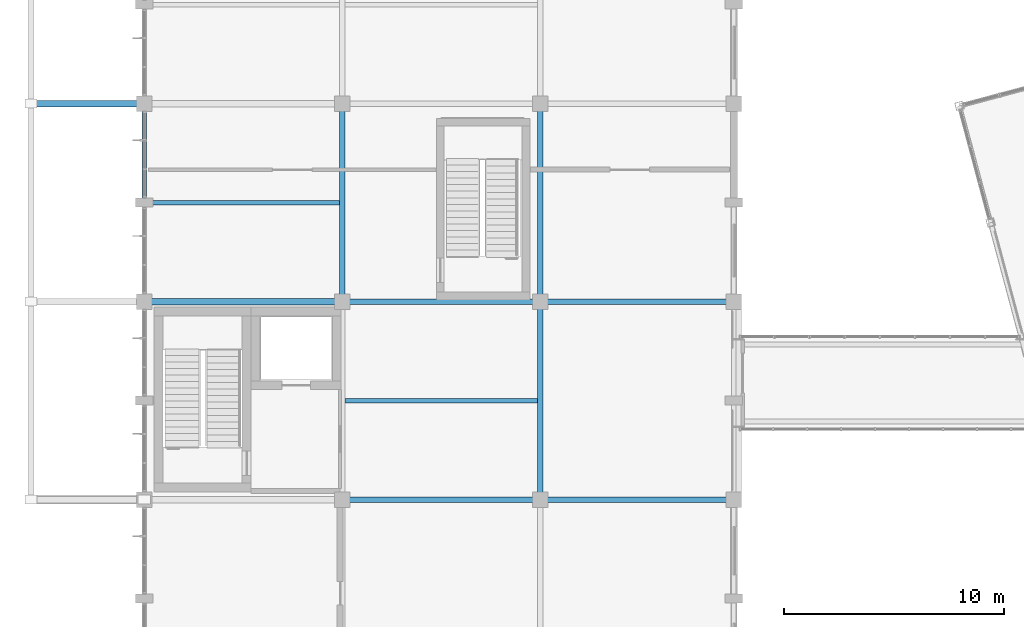
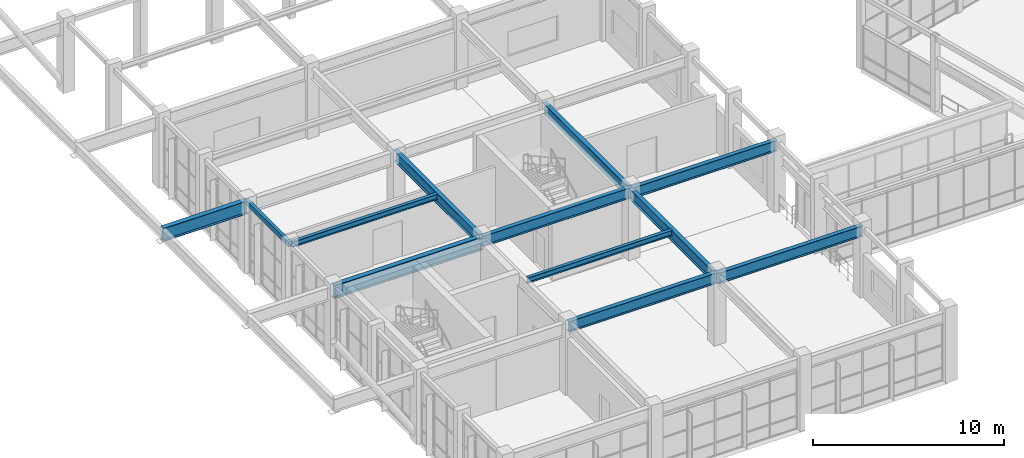
# One storey, part 23 of 99: 12 beams.
"""IFC4 building model written with IfcOpenShell, lengths in metres."""

from ifc_helpers import new_model, si_unit, direction, frame, origin, origin_2d, place, context, subcontext, project, spatial, hollow_rectangle, i_section, extrude, material, material_profile, profile_set, type_object, element, save


model = new_model("IFC4")

# Units and contexts
model_context = context("Model", 3, precision=1e-05, world=origin(), true_north=direction((0.0, 1.0)))
body_context = subcontext(model_context, "Body", "Model", "MODEL_VIEW")
ifc_project = project(units=[si_unit("LENGTHUNIT", "METRE"), si_unit("AREAUNIT", "SQUARE_METRE"), si_unit("VOLUMEUNIT", "CUBIC_METRE"), si_unit("PLANEANGLEUNIT", "RADIAN"), si_unit("MASSUNIT", "GRAM", prefix="KILO")], contexts=[model_context])

# Site, building, storey
site_placement = place(None, origin())
site = spatial("IfcSite", under=ifc_project, at=site_placement, CompositionType="ELEMENT")
building_placement = place(site_placement, origin())
building = spatial("IfcBuilding", under=site, at=building_placement, Name="Ventoquebrada Cableway Terminal", CompositionType="ELEMENT")
storey_placement = place(building_placement, frame((0.0, 0.0, 9.60009765625)))
storey = spatial("IfcBuildingStorey", under=building, at=storey_placement, Name="L02", CompositionType="ELEMENT", Elevation=9.60009765625)

# Beams
ifc_material_1 = material(Name="Steel ASTM A992 Grade 50", Category="steel")
ifc_material_profile_1 = material_profile(ifc_material_1, i_section(OverallWidth=0.25390625, OverallDepth=0.68798828125, WebThickness=0.01318359375, FlangeThickness=0.02099609375, at=origin_2d()), Name="W27X102")
ifc_profile_set_1 = profile_set([ifc_material_profile_1], Name="Steel ASTM A992 Grade 50")
beam_type_1 = type_object("IfcBeamType", Name="BM-ST04", PredefinedType="BEAM", material=ifc_profile_set_1)
beam_1_placement = place(storey_placement, frame((17.199951171875, 77.0, 4.120849609375), z_axis=(1.0, 0.0, 0.0), x_axis=(0.0, 1.0, 0.0)))
element("IfcBeam", 1, at=beam_1_placement, inside=storey, type_object=beam_type_1, Name="Primary frame girder FBM-0442", PredefinedType="BEAM", context=body_context, shape_type="SweptSolid", body=[
    extrude(i_section(OverallWidth=0.25390625, OverallDepth=0.68798828125, WebThickness=0.01318359375, FlangeThickness=0.02099609375, at=origin_2d()), origin(), (0.0, 0.0, 1.0), 9.0),
])
beam_2_placement = place(storey_placement, frame((26.199951171875, 77.0, 4.035888671875), z_axis=(1.0, 0.0, 0.0), x_axis=(0.0, 1.0, 0.0)))
element("IfcBeam", 2, at=beam_2_placement, inside=storey, type_object=beam_type_1, Name="Primary frame girder FBM-0443", PredefinedType="BEAM", context=body_context, shape_type="SweptSolid", body=[
    extrude(i_section(OverallWidth=0.25390625, OverallDepth=0.68798828125, WebThickness=0.01318359375, FlangeThickness=0.02099609375, at=origin_2d()), origin(), (0.0, 0.0, 1.0), 8.800048828125),
])
beam_3_placement = place(storey_placement, frame((17.199951171875, 86.0, 4.120849609375), z_axis=(1.0, 0.0, 0.0), x_axis=(0.0, 1.0, 0.0)))
element("IfcBeam", 3, at=beam_3_placement, inside=storey, type_object=beam_type_1, Name="Primary frame girder FBM-0445", PredefinedType="BEAM", context=body_context, shape_type="SweptSolid", body=[
    extrude(i_section(OverallWidth=0.25390625, OverallDepth=0.68798828125, WebThickness=0.01318359375, FlangeThickness=0.02099609375, at=origin_2d()), origin(), (0.0, 0.0, 1.0), 9.0),
])
beam_4_placement = place(storey_placement, frame((26.199951171875, 86.0, 4.035888671875), z_axis=(1.0, 0.0, 0.0), x_axis=(0.0, 1.0, 0.0)))
element("IfcBeam", 4, at=beam_4_placement, inside=storey, type_object=beam_type_1, Name="Primary frame girder FBM-0446", PredefinedType="BEAM", context=body_context, shape_type="SweptSolid", body=[
    extrude(i_section(OverallWidth=0.25390625, OverallDepth=0.68798828125, WebThickness=0.01318359375, FlangeThickness=0.02099609375, at=origin_2d()), origin(), (0.0, 0.0, 1.0), 8.800048828125),
])
for number, where, z_axis, x_axis, name in (
    (5, (17.199951171875, 86.0, 4.120849609375), (0.0, 1.0, 0.0), (-1.0, 0.0, 0.0), "Primary frame girder FBM-0471"),
    (6, (26.199951171875, 77.0, 4.035888671875), (0.0, 1.0, 0.0), (-1.0, 0.0, 0.0), "Primary frame girder FBM-0475"),
    (7, (26.199951171875, 86.0, 4.035888671875), (0.0, 1.0, 0.0), (-1.0, 0.0, 0.0), "Primary frame girder FBM-0476"),
):
    element("IfcBeam", number, at=place(storey_placement, frame(where, z_axis=z_axis, x_axis=x_axis)), inside=storey, type_object=beam_type_1, Name=name, PredefinedType="BEAM", context=body_context, shape_type="SweptSolid", body=[
        extrude(i_section(OverallWidth=0.25390625, OverallDepth=0.68798828125, WebThickness=0.01318359375, FlangeThickness=0.02099609375, at=origin_2d()), origin(), (0.0, 0.0, 1.0), 9.0),
    ])
ifc_material_profile_2 = material_profile(ifc_material_1, i_section(OverallWidth=0.2919921875, OverallDepth=0.845947265625, WebThickness=0.015380859375, FlangeThickness=0.0244140625, at=origin_2d()), Name="W33X141")
ifc_profile_set_2 = profile_set([ifc_material_profile_2], Name="Steel ASTM A992 Grade 50")
beam_type_2 = type_object("IfcBeamType", Name="BM-ST06", PredefinedType="BEAM", material=ifc_profile_set_2)
beam_5_placement = place(storey_placement, frame((8.199951171875, 86.0, 4.0419921875), z_axis=(1.0, 0.0, 0.0), x_axis=(0.0, 1.0, 0.0)))
element("IfcBeam", 8, at=beam_5_placement, inside=storey, type_object=beam_type_2, Name="Primary frame girder FBM-0444", PredefinedType="BEAM", context=body_context, shape_type="SweptSolid", body=[
    extrude(i_section(OverallWidth=0.2919921875, OverallDepth=0.845947265625, WebThickness=0.015380859375, FlangeThickness=0.0244140625, at=origin_2d()), origin(), (0.0, 0.0, 1.0), 9.0),
])
beam_6_placement = place(storey_placement, frame((3.050048828125, 95.0, 4.0419921875), z_axis=(1.0, 0.0, 0.0), x_axis=(0.0, 1.0, 0.0)))
element("IfcBeam", 9, at=beam_6_placement, inside=storey, type_object=beam_type_2, Name="Cantilever belvedere girder CB-003", PredefinedType="BEAM", context=body_context, shape_type="SweptSolid", body=[
    extrude(i_section(OverallWidth=0.2919921875, OverallDepth=0.845947265625, WebThickness=0.015380859375, FlangeThickness=0.0244140625, at=origin_2d()), origin(), (0.0, 0.0, 1.0), 5.14990234375),
])
ifc_material_profile_3 = material_profile(ifc_material_1, i_section(OverallWidth=0.2041015625, OverallDepth=0.35009765625, WebThickness=0.008544921875, FlangeThickness=0.01513671875, at=origin_2d()), Name="W14X48")
ifc_profile_set_3 = profile_set([ifc_material_profile_3], Name="Steel ASTM A992 Grade 50")
beam_type_3 = type_object("IfcBeamType", Name="JST-ST05", PredefinedType="JOIST", material=ifc_profile_set_3)
beam_7_placement = place(storey_placement, frame((8.300048828125, 90.5, 4.289794921875), z_axis=(1.0, 0.0, 0.0), x_axis=(0.0, 1.0, 0.0)))
element("IfcBeam", 10, at=beam_7_placement, inside=storey, type_object=beam_type_3, Name="Secondary floor joist JB-016", PredefinedType="JOIST", context=body_context, shape_type="SweptSolid", body=[
    extrude(i_section(OverallWidth=0.2041015625, OverallDepth=0.35009765625, WebThickness=0.008544921875, FlangeThickness=0.01513671875, at=origin_2d()), origin(), (0.0, 0.0, 1.0), 8.77294921875),
])
beam_8_placement = place(storey_placement, frame((17.326904296875, 81.5, 4.289794921875), z_axis=(1.0, 0.0, 0.0), x_axis=(0.0, 1.0, 0.0)))
element("IfcBeam", 11, at=beam_8_placement, inside=storey, type_object=beam_type_3, Name="Secondary floor joist JB-019", PredefinedType="JOIST", context=body_context, shape_type="SweptSolid", body=[
    extrude(i_section(OverallWidth=0.2041015625, OverallDepth=0.35009765625, WebThickness=0.008544921875, FlangeThickness=0.01513671875, at=origin_2d()), origin(), (0.0, 0.0, 1.0), 8.74609375),
])
ifc_material_2 = material(Name="Steel ASTM A500 Grade C", Category="steel")
ifc_material_profile_4 = material_profile(ifc_material_2, hollow_rectangle(XDim=0.199951171875, YDim=0.300048828125, WallThickness=0.012451171875, at=origin_2d()), Name="RHS300X200X12.5")
ifc_profile_set_4 = profile_set([ifc_material_profile_4], Name="Steel ASTM A500 Grade C")
beam_type_4 = type_object("IfcBeamType", Name="SP-ST02", PredefinedType="SPANDREL", material=ifc_profile_set_4)
beam_9_placement = place(storey_placement, frame((8.199951171875, 90.5, 4.31494140625), z_axis=(0.0, 1.0, 0.0), x_axis=(-1.0, 0.0, 0.0)))
element("IfcBeam", 12, at=beam_9_placement, inside=storey, type_object=beam_type_4, Name="Perimeter spandrel beam FBM-0464", PredefinedType="SPANDREL", context=body_context, shape_type="SweptSolid", body=[
    extrude(hollow_rectangle(XDim=0.199951171875, YDim=0.300048828125, WallThickness=0.012451171875, at=origin_2d()), origin(), (0.0, 0.0, 1.0), 4.5),
])

save(model, "model.ifc")
